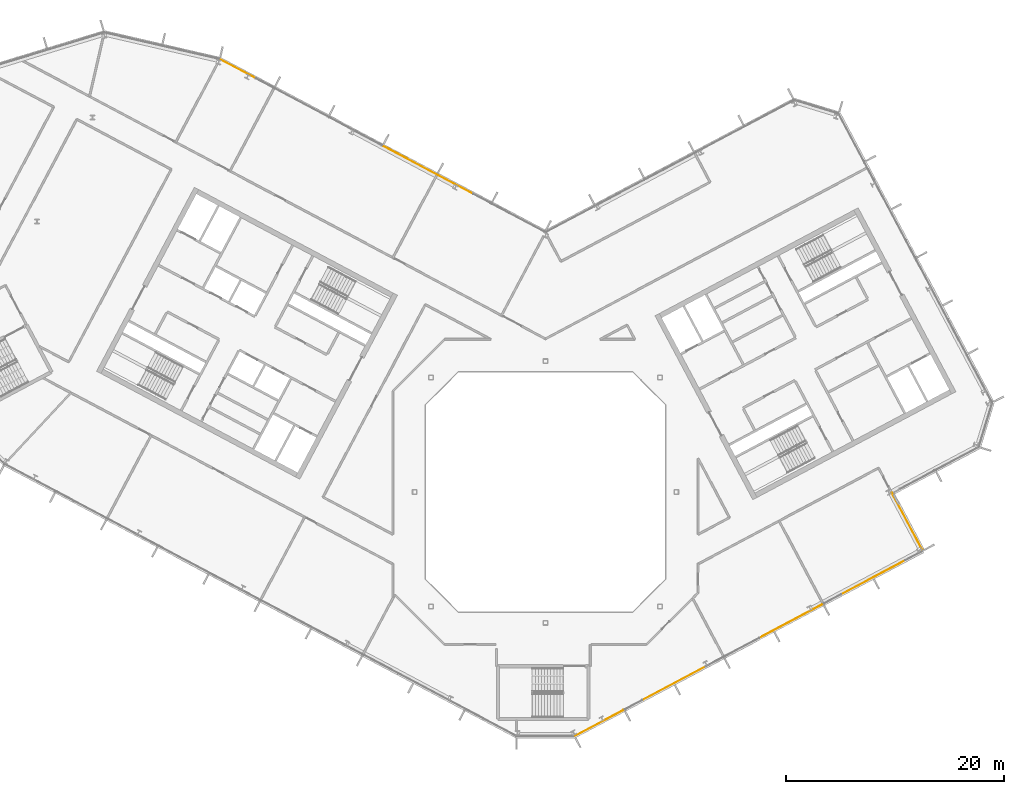
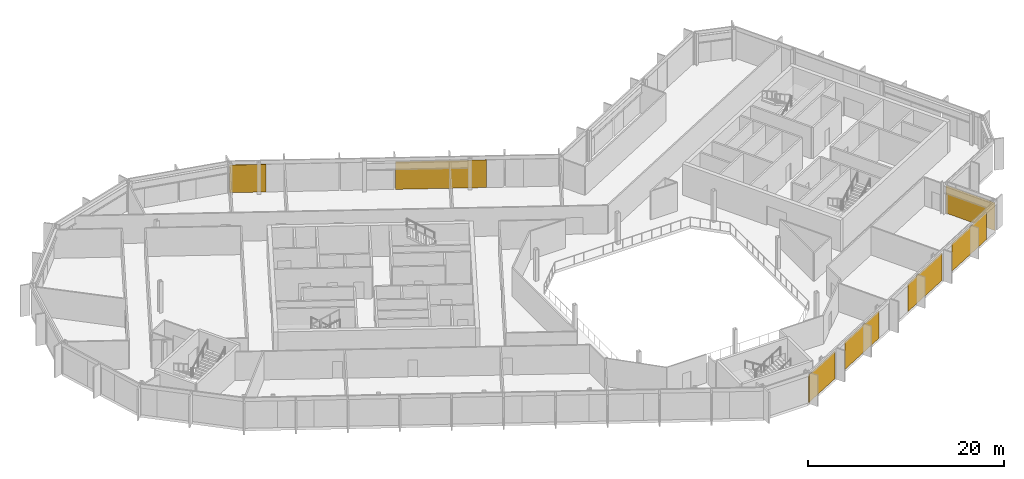
# One storey, part 24 of 26: 7 coverings, 3 elements without a shape of their own.
"""IFC4 building model written with IfcOpenShell, lengths in metres."""

from ifc_helpers import new_model, si_unit, direction, frame, origin, origin_2d, place, context, subcontext, project, spatial, rectangle, extrude, material, layer, layer_set, type_object, element, aggregate, save


model = new_model("IFC4")

# Units and contexts
model_context = context("Model", 3, precision=1e-05, world=origin(), true_north=direction((0.0, 1.0)))
body_context = subcontext(model_context, "Body", "Model", "MODEL_VIEW")
ifc_project = project(units=[si_unit("LENGTHUNIT", "METRE"), si_unit("AREAUNIT", "SQUARE_METRE"), si_unit("VOLUMEUNIT", "CUBIC_METRE"), si_unit("PLANEANGLEUNIT", "RADIAN"), si_unit("MASSUNIT", "GRAM", prefix="KILO")], contexts=[model_context])

# Site, building, storey
site_placement = place(None, origin())
site = spatial("IfcSite", under=ifc_project, at=site_placement, CompositionType="ELEMENT")
building_placement = place(site_placement, origin())
building = spatial("IfcBuilding", under=site, at=building_placement, Name="Cormorant Relay Tower", CompositionType="ELEMENT")
storey_placement = place(building_placement, frame((0.0, 0.0, 269.699951171875)))
storey = spatial("IfcBuildingStorey", under=building, at=storey_placement, Name="L60", CompositionType="ELEMENT", Elevation=269.699951171875)

# Curtain wall, coverings
ifc_material_1 = material(Name="Aluminium 6063-T6 anodised bronze", Category="aluminium")
ifc_layer_1 = layer(ifc_material_1, 0.199951171875)
ifc_layer_set_1 = layer_set([ifc_layer_1], Name="CW1 unitised bronze curtain wall with vertical fins")
curtain_wall_type = type_object("IfcCurtainWallType", Name="CW1 unitised bronze curtain wall with vertical fins", PredefinedType="NOTDEFINED", material=ifc_layer_set_1)
curtain_wall_1_placement = place(storey_placement, origin())
curtain_wall_1 = element("IfcCurtainWall", 1, at=curtain_wall_1_placement, inside=storey, type_object=curtain_wall_type, Name="CW1 curtain wall 2", PredefinedType="NOTDEFINED")
ifc_material_2 = material(Name="Pale bronze anodised aluminium insulated panel", Category="aluminium")
ifc_layer_2 = layer(ifc_material_2, 0.0400390625)
ifc_layer_set_2 = layer_set([ifc_layer_2], Name="CW1 pale bronze insulated panel 40")
covering_type = type_object("IfcCoveringType", Name="CW1 pale bronze insulated panel 40", PredefinedType="CLADDING", material=ifc_layer_set_2)
covering_1_placement = place(storey_placement, frame((4.939208984375, -21.180419921875, 0.0), z_axis=(0.0, 0.0, 1.0), x_axis=(0.882947592859, 0.469471562786, 0.0)))
covering_1 = element("IfcCovering", 2, at=covering_1_placement, type_object=covering_type, Name="CW1 panel S00", PredefinedType="CLADDING", context=body_context, shape_type="SweptSolid", body=[
    extrude(rectangle(XDim=5.0166015625, YDim=0.0400390625, at=origin_2d()), origin(), (0.0, 0.0, 1.0), 3.449951171875),
])
covering_2_placement = place(storey_placement, frame((11.78173828125, -17.5419921875, 0.0), z_axis=(0.0, 0.0, 1.0), x_axis=(0.882947592859, 0.469471562786, 0.0)))
covering_2 = element("IfcCovering", 3, at=covering_2_placement, type_object=covering_type, Name="CW1 panel S02", PredefinedType="CLADDING", context=body_context, shape_type="SweptSolid", body=[
    extrude(rectangle(XDim=6.5830078125, YDim=0.0400390625, at=origin_2d()), origin(), (0.0, 0.0, 1.0), 3.449951171875),
])
covering_3_placement = place(storey_placement, frame((22.49462890625, -11.845947265625, 0.0), z_axis=(0.0, 0.0, 1.0), x_axis=(0.882947592859, 0.469471562786, 0.0)))
covering_3 = element("IfcCovering", 4, at=covering_3_placement, type_object=covering_type, Name="CW1 panel S05", PredefinedType="CLADDING", context=body_context, shape_type="SweptSolid", body=[
    extrude(rectangle(XDim=6.5830078125, YDim=0.0400390625, at=origin_2d()), origin(), (0.0, 0.0, 1.0), 3.449951171875),
])
covering_4_placement = place(storey_placement, frame((30.06201171875, -7.822265625, 0.0), z_axis=(0.0, 0.0, 1.0), x_axis=(0.882947592859, 0.469471562786, 0.0)))
covering_4 = element("IfcCovering", 5, at=covering_4_placement, type_object=covering_type, Name="CW1 panel S07", PredefinedType="CLADDING", context=body_context, shape_type="SweptSolid", body=[
    extrude(rectangle(XDim=6.658203125, YDim=0.0400390625, at=origin_2d()), origin(), (0.0, 0.0, 1.0), 3.449951171875),
])
aggregate(curtain_wall_1, [covering_1, covering_2, covering_3, covering_4])

# Curtain wall, covering
curtain_wall_2_placement = place(storey_placement, origin())
curtain_wall_2 = element("IfcCurtainWall", 6, at=curtain_wall_2_placement, inside=storey, type_object=curtain_wall_type, Name="CW1 curtain wall 3", PredefinedType="NOTDEFINED")
covering_5_placement = place(storey_placement, frame((33.173095703125, -2.705322265625, 0.0), z_axis=(0.0, 0.0, 1.0), x_axis=(-0.469471562786, 0.882947592859, 0.0)))
covering_5 = element("IfcCovering", 7, at=covering_5_placement, type_object=covering_type, Name="CW1 panel S00", PredefinedType="CLADDING", context=body_context, shape_type="SweptSolid", body=[
    extrude(rectangle(XDim=5.925048828125, YDim=0.0400390625, at=origin_2d()), origin(), (0.0, 0.0, 1.0), 3.449951171875),
])
aggregate(curtain_wall_2, [covering_5])

# Curtain wall, coverings
curtain_wall_3_placement = place(storey_placement, origin())
curtain_wall_3 = element("IfcCurtainWall", 8, at=curtain_wall_3_placement, inside=storey, type_object=curtain_wall_type, Name="CW1 curtain wall 9", PredefinedType="NOTDEFINED")
covering_6_placement = place(storey_placement, frame((-10.7431640625, 29.518798828125, 0.0), z_axis=(0.0, 0.0, 1.0), x_axis=(-0.882947592859, 0.469471562786, 0.0)))
covering_6 = element("IfcCovering", 9, at=covering_6_placement, type_object=covering_type, Name="CW1 panel S03", PredefinedType="CLADDING", context=body_context, shape_type="SweptSolid", body=[
    extrude(rectangle(XDim=9.327880859375, YDim=0.0400390625, at=origin_2d()), origin(), (0.0, 0.0, 1.0), 3.449951171875),
])
covering_7_placement = place(storey_placement, frame((-28.20263671875, 38.80224609375, 0.0), z_axis=(0.0, 0.0, 1.0), x_axis=(-0.882947592859, 0.469471562786, 0.0)))
covering_7 = element("IfcCovering", 10, at=covering_7_placement, type_object=covering_type, Name="CW1 panel S07", PredefinedType="CLADDING", context=body_context, shape_type="SweptSolid", body=[
    extrude(rectangle(XDim=3.763916015625, YDim=0.0400390625, at=origin_2d()), origin(), (0.0, 0.0, 1.0), 3.449951171875),
])
aggregate(curtain_wall_3, [covering_6, covering_7])

save(model, "model.ifc")
